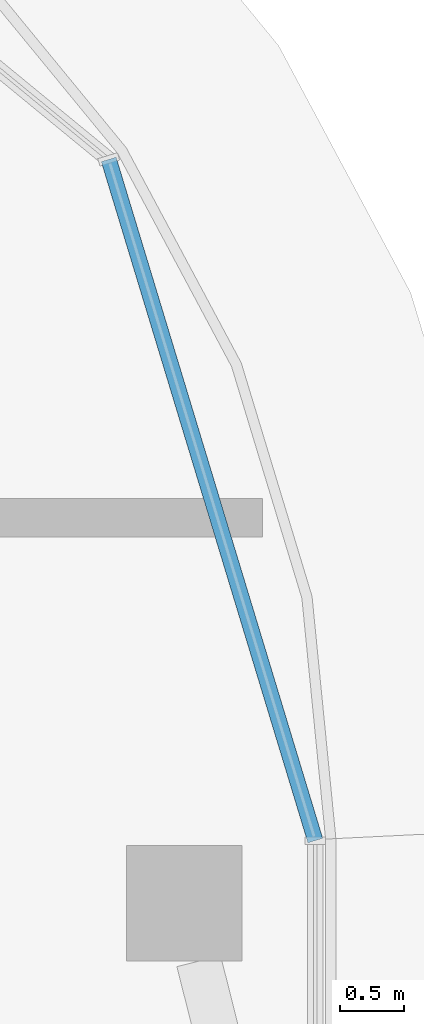
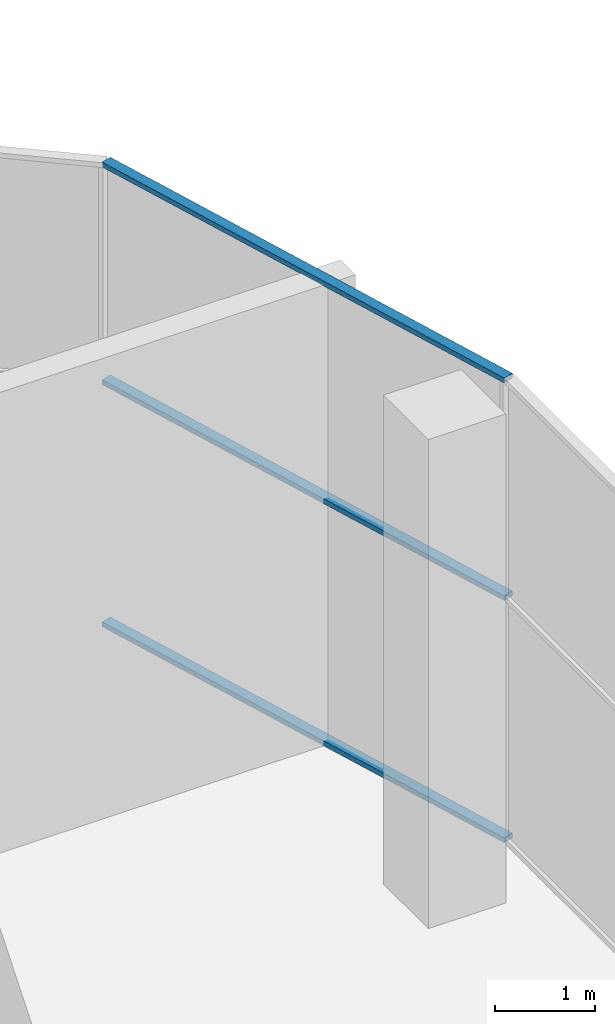
# One storey, part 4 of 23: 3 members, 1 element without a shape of its own.
"""IFC4 building model written with IfcOpenShell, lengths in metres."""

from ifc_helpers import new_model, si_unit, direction, frame, origin, origin_2d, place, context, subcontext, project, spatial, rectangle, extrude, material, material_profile, profile_set, type_object, element, aggregate, save


model = new_model("IFC4")

# Units and contexts
model_context = context("Model", 3, precision=1e-05, world=origin(), true_north=direction((0.0, 1.0)))
body_context = subcontext(model_context, "Body", "Model", "MODEL_VIEW")
ifc_project = project(units=[si_unit("LENGTHUNIT", "METRE"), si_unit("AREAUNIT", "SQUARE_METRE"), si_unit("VOLUMEUNIT", "CUBIC_METRE"), si_unit("PLANEANGLEUNIT", "RADIAN"), si_unit("MASSUNIT", "GRAM", prefix="KILO")], contexts=[model_context])

# Site, building, storey
site_placement = place(None, origin())
site = spatial("IfcSite", under=ifc_project, at=site_placement, CompositionType="ELEMENT")
building_placement = place(site_placement, origin())
building = spatial("IfcBuilding", under=site, at=building_placement, Name="Ogive Portal Towers", CompositionType="ELEMENT")
storey_placement = place(building_placement, frame((0.0, 0.0, 260.89990234375)))
storey = spatial("IfcBuildingStorey", under=building, at=storey_placement, Name="L64", CompositionType="ELEMENT", Elevation=260.89990234375)

# Curtain wall, members
ifc_material_1 = material(Name="Glass, clear low-iron insulated glazing", Category="glass")
curtain_wall_type = type_object("IfcCurtainWallType", Name="CW OBSERVATION WALL", PredefinedType="NOTDEFINED", material=ifc_material_1)
curtain_wall_placement = place(storey_placement, origin())
curtain_wall = element("IfcCurtainWall", 1, at=curtain_wall_placement, inside=storey, type_object=curtain_wall_type, Name="A:L64:f17:cwa", PredefinedType="NOTDEFINED")
ifc_material_2 = material(Name="Aluminium 6063 anodised", Category="aluminium")
ifc_material_profile = material_profile(ifc_material_2, rectangle(XDim=0.1201171875, YDim=0.06005859375, at=origin_2d()), Name="AL 120x60")
ifc_profile_set = profile_set([ifc_material_profile], Name="Aluminium 6063 anodised")
member_type = type_object("IfcMemberType", Name="CW TRANSOM 60x120", PredefinedType="USERDEFINED", material=ifc_profile_set)
member_1_placement = place(storey_placement, frame((50.52001953125, 48.988037109375, 0.030029296875), z_axis=(-0.290279034349, 0.956942047471, 0.0), x_axis=(-0.956942047471, -0.290279034349, 0.0)))
member_1 = element("IfcMember", 2, at=member_1_placement, type_object=member_type, Name="transom", ObjectType="TRANSOM", PredefinedType="USERDEFINED", context=body_context, shape_type="SweptSolid", body=[
    extrude(rectangle(XDim=0.1201171875, YDim=0.06005859375, at=origin_2d()), origin(), (0.0, 0.0, 1.0), 5.53759765625),
])
member_2_placement = place(storey_placement, frame((50.52001953125, 48.988037109375, 3.0), z_axis=(-0.290279034349, 0.956942047471, 0.0), x_axis=(-0.956942047471, -0.290279034349, 0.0)))
member_2 = element("IfcMember", 3, at=member_2_placement, type_object=member_type, Name="transom", ObjectType="TRANSOM", PredefinedType="USERDEFINED", context=body_context, shape_type="SweptSolid", body=[
    extrude(rectangle(XDim=0.1201171875, YDim=0.06005859375, at=origin_2d()), origin(), (0.0, 0.0, 1.0), 5.53759765625),
])
member_3_placement = place(storey_placement, frame((50.52001953125, 48.988037109375, 5.670166015625), z_axis=(-0.290279034349, 0.956942047471, 0.0), x_axis=(-0.956942047471, -0.290279034349, 0.0)))
member_3 = element("IfcMember", 4, at=member_3_placement, type_object=member_type, Name="transom", ObjectType="TRANSOM", PredefinedType="USERDEFINED", context=body_context, shape_type="SweptSolid", body=[
    extrude(rectangle(XDim=0.1201171875, YDim=0.06005859375, at=origin_2d()), origin(), (0.0, 0.0, 1.0), 5.53759765625),
])
aggregate(curtain_wall, [member_1, member_2, member_3])

save(model, "model.ifc")
